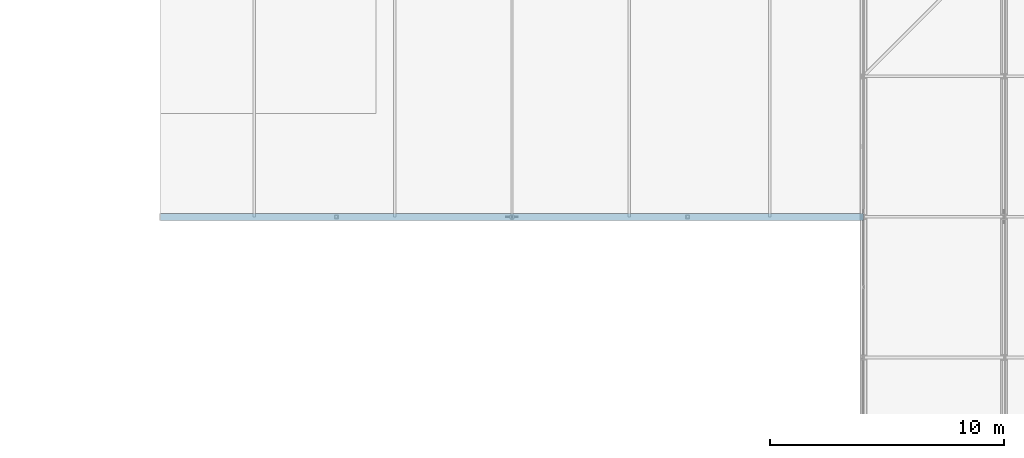
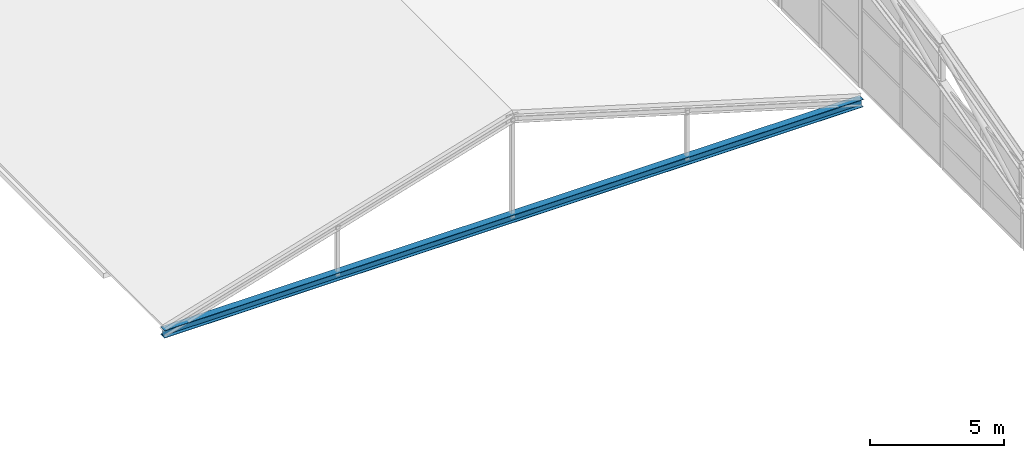
# One storey, part 2 of 204: 1 member.
"""IFC4 building model written with IfcOpenShell, lengths in metres."""

from ifc_helpers import new_model, si_unit, direction, frame, origin, origin_2d, place, context, subcontext, project, spatial, i_section, extrude, material, material_profile, profile_set, type_object, element, save


model = new_model("IFC4")

# Units and contexts
model_context = context("Model", 3, precision=1e-05, world=origin(), true_north=direction((0.0, 1.0)))
body_context = subcontext(model_context, "Body", "Model", "MODEL_VIEW")
ifc_project = project(units=[si_unit("LENGTHUNIT", "METRE"), si_unit("AREAUNIT", "SQUARE_METRE"), si_unit("VOLUMEUNIT", "CUBIC_METRE"), si_unit("PLANEANGLEUNIT", "RADIAN"), si_unit("MASSUNIT", "GRAM", prefix="KILO")], contexts=[model_context])

# Site, building, storey
site_placement = place(None, origin())
site = spatial("IfcSite", under=ifc_project, at=site_placement, CompositionType="ELEMENT")
building_placement = place(site_placement, origin())
building = spatial("IfcBuilding", under=site, at=building_placement, Name="Zilviju Railside Exhibition Hall", CompositionType="ELEMENT")
storey_placement = place(building_placement, frame((0.0, 0.0, 21.0)))
storey = spatial("IfcBuildingStorey", under=building, at=storey_placement, Name="RF", CompositionType="ELEMENT", Elevation=21.0)

# Member
ifc_material = material(Name="Steel S355J2", Category="steel")
ifc_material_profile = material_profile(ifc_material, i_section(OverallWidth=0.300048828125, OverallDepth=0.35009765625, WebThickness=0.010009765625, FlangeThickness=0.017578125, at=origin_2d()), Name="HEA 360")
ifc_profile_set = profile_set([ifc_material_profile], Name="Steel S355J2")
member_type = type_object("IfcMemberType", Name="TR-CH-HEA360", PredefinedType="CHORD", material=ifc_profile_set)
member_placement = place(storey_placement, frame((48.0, 18.0, -8.39990234375), z_axis=(1.0, 0.0, 0.0), x_axis=(0.0, 1.0, 0.0)))
element("IfcMember", 1, at=member_placement, inside=storey, type_object=member_type, Name="Concourse Saddle Tie Chord Y=18.0", PredefinedType="CHORD", context=body_context, shape_type="SweptSolid", body=[
    extrude(i_section(OverallWidth=0.300048828125, OverallDepth=0.35009765625, WebThickness=0.010009765625, FlangeThickness=0.017578125, at=origin_2d()), origin(), (0.0, 0.0, 1.0), 30.0),
])

save(model, "model.ifc")
